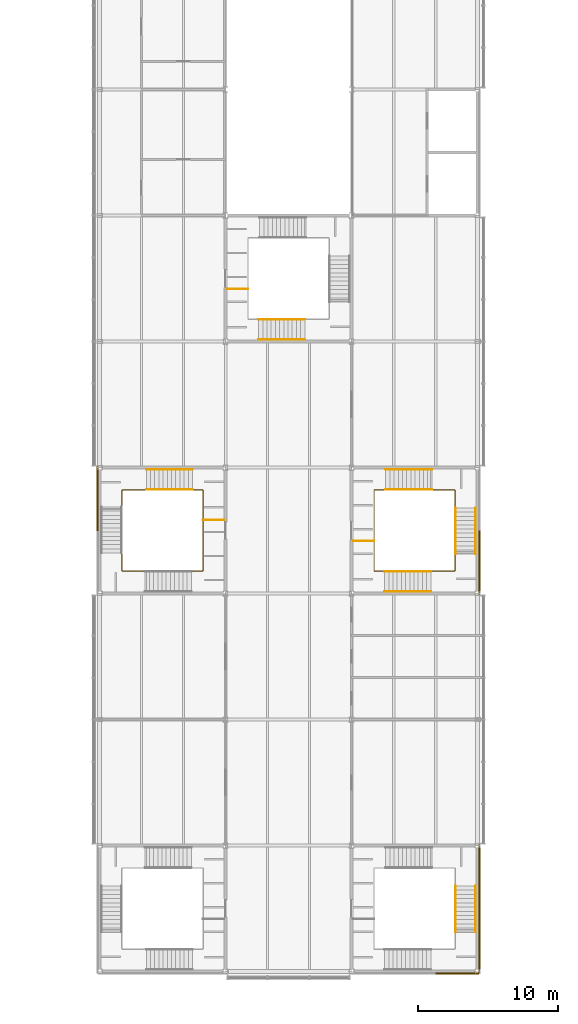
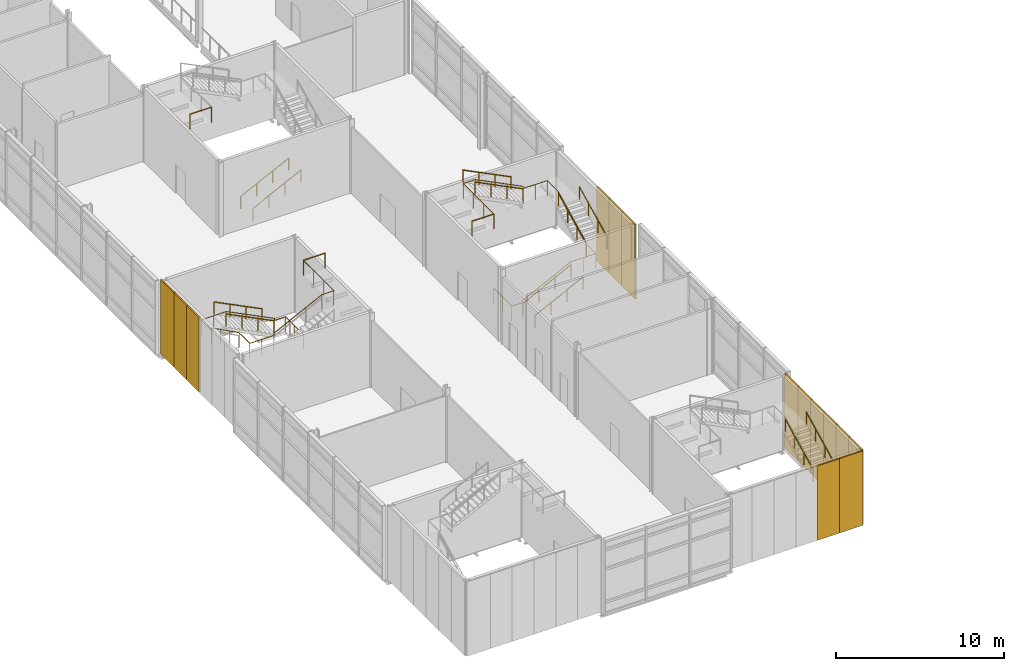
# One storey, part 44 of 52: 17 railings, 14 coverings.
"""IFC4 building model written with IfcOpenShell, lengths in metres."""

import ifcopenshell
import ifcopenshell.guid

model = None  # the IFC model being written
_history = None  # IfcOwnerHistory: only IFC2X3 demands one
_inside = {}  # id of a spatial element -> (the spatial element, [elements in it])
_under = {}  # id of a project, library or spatial element -> (it, [spatial elements below it])
_declared = {}  # id of a project -> (the project, [libraries it declares])
_typed = {}  # id of a type object -> (the type object, [elements of that type])
_made_of = {}  # id of a material, layer set ... -> (it, [elements and type objects made of it])


def new_model(schema):
    """Start an empty IFC model of exactly this schema.

    Asked for "IFC4X3", IfcOpenShell would pick the latest addendum, in which some entities
    have other attributes; the version numbers below select the first issue.
    IFC2X3 requires an IfcOwnerHistory on every rooted entity: one is made here for all.
    """
    global model, _history
    if schema == "IFC4X3":
        model = ifcopenshell.file(schema_version=(4, 3, 0, 0))
    else:
        model = ifcopenshell.file(schema=schema)
    _inside.clear()
    _under.clear()
    _declared.clear()
    _typed.clear()
    _made_of.clear()
    _history = None
    if model.schema == "IFC2X3":
        org = make("IfcOrganization", Name="unknown")
        user = make(
            "IfcPersonAndOrganization",
            ThePerson=make("IfcPerson", FamilyName="unknown"),
            TheOrganization=org,
        )
        app = make(
            "IfcApplication",
            ApplicationDeveloper=org,
            Version="unknown",
            ApplicationFullName="unknown",
            ApplicationIdentifier="unknown",
        )
        _history = make(
            "IfcOwnerHistory",
            OwningUser=user,
            OwningApplication=app,
            ChangeAction="ADDED",
            CreationDate=0,
        )
    return model


def make(cls, **values):
    """One entity of the class cls with the attributes given. An attribute that is None is left unset."""
    return model.create_entity(
        cls, **{name: value for name, value in values.items() if value is not None}
    )


def rooted(cls, **values):
    """An entity with a GlobalId (a new one), such as an element, a storey or a relation."""
    return make(cls, GlobalId=ifcopenshell.guid.new(), OwnerHistory=_history, **values)


def si_unit(unit_type, name, prefix=None):
    """IfcSIUnit, for example si_unit("LENGTHUNIT", "METRE", prefix="MILLI")."""
    return make("IfcSIUnit", UnitType=unit_type, Prefix=prefix, Name=name)


def assignment(units):
    """IfcUnitAssignment: the units of a project."""
    return None if units is None else make("IfcUnitAssignment", Units=units)


def point(xyz):
    """IfcCartesianPoint."""
    return None if xyz is None else make("IfcCartesianPoint", Coordinates=xyz)


def direction(xyz):
    """IfcDirection."""
    return None if xyz is None else make("IfcDirection", DirectionRatios=xyz)


def frame(location, z_axis=None, x_axis=None):
    """IfcAxis2Placement3D, a coordinate frame: its origin and axes. An axis left out is left unset."""
    return make(
        "IfcAxis2Placement3D",
        Location=point(location),
        Axis=direction(z_axis),
        RefDirection=direction(x_axis),
    )


def frame_2d(location, x_axis=None):
    """IfcAxis2Placement2D, a coordinate frame in the plane: its origin and x axis."""
    return make(
        "IfcAxis2Placement2D", Location=point(location), RefDirection=direction(x_axis)
    )


def origin():
    """The frame at (0, 0, 0) with its axes left unset."""
    return frame((0.0, 0.0, 0.0))


def origin_2d():
    """The frame at (0, 0) in the plane with its x axis left unset."""
    return frame_2d((0.0, 0.0))


def place(relative_to, where):
    """IfcLocalPlacement: puts the frame where relative to a parent placement (None: the world)."""
    return make(
        "IfcLocalPlacement", PlacementRelTo=relative_to, RelativePlacement=where
    )


def context(
    kind, dimensions, precision=None, world=None, true_north=None, identifier=None
):
    """IfcGeometricRepresentationContext, for example the 3D "Model" context."""
    return make(
        "IfcGeometricRepresentationContext",
        ContextIdentifier=identifier,
        ContextType=kind,
        CoordinateSpaceDimension=dimensions,
        Precision=precision,
        WorldCoordinateSystem=world,
        TrueNorth=true_north,
    )


def subcontext(parent, identifier, kind, view, scale=None):
    """IfcGeometricRepresentationSubContext, for example "Body" below "Model"."""
    return make(
        "IfcGeometricRepresentationSubContext",
        ContextIdentifier=identifier,
        ContextType=kind,
        ParentContext=parent,
        TargetScale=scale,
        TargetView=view,
    )


def project(units=None, contexts=None):
    """IfcProject with its units and contexts."""
    return rooted(
        "IfcProject",
        Name="project",
        RepresentationContexts=contexts,
        UnitsInContext=assignment(units),
    )


def spatial(cls, under=None, at=None, **own):
    """A site, building, storey or space (cls), placed at a placement, below another one or the project."""
    s = rooted(cls, ObjectPlacement=at, **own)
    if under is not None:
        _under.setdefault(under.id(), (under, []))[1].append(s)
    return s


def profile(cls, at=None, kind="AREA", **sizes):
    """A parametric profile (cls). Its sizes go by their IFC names, for example OverallWidth=200.0."""
    return make(cls, ProfileType=kind, Position=at, **sizes)


def rectangle(**sizes):
    """IfcRectangleProfileDef."""
    return profile("IfcRectangleProfileDef", **sizes)


def circle(**sizes):
    """IfcCircleProfileDef."""
    return profile("IfcCircleProfileDef", **sizes)


def extrude(swept, where, along, depth):
    """IfcExtrudedAreaSolid: the profile swept, set in the frame where, extruded along a direction by depth."""
    return make(
        "IfcExtrudedAreaSolid",
        SweptArea=swept,
        Position=where,
        ExtrudedDirection=direction(along),
        Depth=depth,
    )


def shape(context_of_items, identifier, shape_type, items):
    """IfcShapeRepresentation: the items that make up one representation, for example the "Body"."""
    return make(
        "IfcShapeRepresentation",
        ContextOfItems=context_of_items,
        RepresentationIdentifier=identifier,
        RepresentationType=shape_type,
        Items=items,
    )


def material(Name=None, Category=None):
    """IfcMaterial."""
    return make("IfcMaterial", Name=Name, Category=Category)


def layer(
    of_material, thickness, ventilated=None, Name=None, Category=None, Priority=None
):
    """IfcMaterialLayer: one layer of a wall or slab, of a material (None: an air gap)."""
    return make(
        "IfcMaterialLayer",
        Material=of_material,
        LayerThickness=thickness,
        IsVentilated=ventilated,
        Name=Name,
        Category=Category,
        Priority=Priority,
    )


def layer_set(layers, Name=None):
    """IfcMaterialLayerSet."""
    return make("IfcMaterialLayerSet", MaterialLayers=layers, LayerSetName=Name)


def made_of(thing, what):
    """Note that an element or type object is made of a material, layer set ...; save() writes the relation."""
    if what is not None:
        _made_of.setdefault(what.id(), (what, []))[1].append(thing)
    return thing


def type_object(cls, material=None, **own):
    """A type object (cls), such as IfcWallType, which elements share."""
    return made_of(rooted(cls, **own), material)


def element(
    cls,
    number,
    at=None,
    inside=None,
    cuts=None,
    type_object=None,
    material=None,
    context=None,
    identifier="Body",
    shape_type=None,
    held_by="IfcProductDefinitionShape",
    body=None,
    shapes=None,
    **own,
):
    """One element of the class cls, such as IfcWall. Its Tag is "e" and its number.

    at: its placement. inside: the storey or other place that contains it. cuts: it is an
    opening in that element (IfcRelVoidsElement). A single representation is given by context,
    identifier, shape_type and body (its items); several are given by shapes. held_by: the class
    of the entity that holds the representations. save() writes the other relations.
    """
    e = rooted(cls, Tag="e%d" % number, ObjectPlacement=at, **own)
    if body is not None:
        shapes = [shape(context, identifier, shape_type, body)]
    if shapes is not None:
        e.Representation = make(held_by, Representations=shapes)
    if inside is not None:
        _inside.setdefault(inside.id(), (inside, []))[1].append(e)
    if cuts is not None:
        rooted(
            "IfcRelVoidsElement", RelatingBuildingElement=cuts, RelatedOpeningElement=e
        )
    if type_object is not None:
        _typed.setdefault(type_object.id(), (type_object, []))[1].append(e)
    return made_of(e, material)


def aggregate(whole, parts):
    """IfcRelAggregates: a whole, such as a stair, and the parts it consists of."""
    return rooted("IfcRelAggregates", RelatingObject=whole, RelatedObjects=parts)


def save(model, path):
    """Write the relations noted so far, then the file.

    IfcRelAggregates (storeys below a building ...), IfcRelContainedInSpatialStructure (elements
    in a storey), IfcRelDefinesByType, IfcRelAssociatesMaterial and IfcRelDeclares: one each for
    every whole, place, type object, material and project.
    """
    for whole, parts in _under.values():
        aggregate(whole, parts)
    for where, things in _inside.values():
        rooted(
            "IfcRelContainedInSpatialStructure",
            RelatedElements=things,
            RelatingStructure=where,
        )
    for kind, things in _typed.values():
        rooted("IfcRelDefinesByType", RelatedObjects=things, RelatingType=kind)
    for what, things in _made_of.values():
        rooted("IfcRelAssociatesMaterial", RelatedObjects=things, RelatingMaterial=what)
    for by, libraries in _declared.values():
        rooted("IfcRelDeclares", RelatingContext=by, RelatedDefinitions=libraries)
    model.write(path)


model = new_model("IFC4")

# Units and contexts
model_context = context("Model", 3, precision=1e-05, world=origin(), true_north=direction((0.0, 1.0)))
body_context = subcontext(model_context, "Body", "Model", "MODEL_VIEW")
ifc_project = project(units=[si_unit("LENGTHUNIT", "METRE"), si_unit("AREAUNIT", "SQUARE_METRE"), si_unit("VOLUMEUNIT", "CUBIC_METRE"), si_unit("PLANEANGLEUNIT", "RADIAN"), si_unit("MASSUNIT", "GRAM", prefix="KILO")], contexts=[model_context])

# Site, building, storey
site_placement = place(None, origin())
site = spatial("IfcSite", under=ifc_project, at=site_placement, CompositionType="ELEMENT")
building_placement = place(site_placement, origin())
building = spatial("IfcBuilding", under=site, at=building_placement, Name="Azimuth Sports and Learning Centre", CompositionType="ELEMENT")
storey_placement = place(building_placement, frame((0.0, 0.0, 16.199951171875)))
storey = spatial("IfcBuildingStorey", under=building, at=storey_placement, Name="L03", CompositionType="ELEMENT", Elevation=16.199951171875)

# Coverings
ifc_material_1 = material(Name="Cladding panel")
ifc_layer = layer(ifc_material_1, 0.10009765625)
ifc_layer_set = layer_set([ifc_layer], Name="Cladding panel")
covering_type = type_object("IfcCoveringType", Name="Cladding panel 100", PredefinedType="CLADDING", material=ifc_layer_set)
covering_placement = place(storey_placement, frame((71.85009765625, 35.300048828125, 0.0), z_axis=(0.0, 0.0, 1.0), x_axis=(0.0, -1.0, 0.0)))
element("IfcCovering", 1, at=covering_placement, inside=storey, type_object=covering_type, Name="Cladding panel W-ST3 L03 1", PredefinedType="CLADDING", context=body_context, shape_type="SweptSolid", body=[
    extrude(rectangle(XDim=1.60009765625, YDim=0.10009765625, at=origin_2d()), origin(), (0.0, 0.0, 1.0), 5.39990234375),
])
for number, where, z_axis, x_axis, name in (
    (2, (71.85009765625, 33.75, 0.0), (0.0, 0.0, 1.0), (0.0, -1.0, 0.0), "Cladding panel W-ST3 L03 2"),
    (3, (71.85009765625, 32.25, 0.0), (0.0, 0.0, 1.0), (0.0, -1.0, 0.0), "Cladding panel W-ST3 L03 3"),
    (4, (96.75, -0.14990234375, 0.0), (0.0, 0.0, 1.0), (1.0, 0.0, 0.0), "Cladding panel S-ST2 L03 5"),
):
    element("IfcCovering", number, at=place(storey_placement, frame(where, z_axis=z_axis, x_axis=x_axis)), inside=storey, type_object=covering_type, Name=name, PredefinedType="CLADDING", context=body_context, shape_type="SweptSolid", body=[
        extrude(rectangle(XDim=1.5, YDim=0.10009765625, at=origin_2d()), origin(), (0.0, 0.0, 1.0), 5.39990234375),
    ])
for number, where, z_axis, x_axis, name in (
    (5, (98.300048828125, -0.14990234375, 0.0), (0.0, 0.0, 1.0), (1.0, 0.0, 0.0), "Cladding panel S-ST2 L03 6"),
    (6, (99.14990234375, 0.699951171875, 0.0), (0.0, 0.0, 1.0), (0.0, 1.0, 0.0), "Cladding panel E-ST2 L03 1"),
):
    element("IfcCovering", number, at=place(storey_placement, frame(where, z_axis=z_axis, x_axis=x_axis)), inside=storey, type_object=covering_type, Name=name, PredefinedType="CLADDING", context=body_context, shape_type="SweptSolid", body=[
        extrude(rectangle(XDim=1.60009765625, YDim=0.10009765625, at=origin_2d()), origin(), (0.0, 0.0, 1.0), 5.39990234375),
    ])
for number, where, z_axis, x_axis, name in (
    (7, (99.14990234375, 2.25, 0.0), (0.0, 0.0, 1.0), (0.0, 1.0, 0.0), "Cladding panel E-ST2 L03 2"),
    (8, (99.14990234375, 3.75, 0.0), (0.0, 0.0, 1.0), (0.0, 1.0, 0.0), "Cladding panel E-ST2 L03 3"),
    (9, (99.14990234375, 5.25, 0.0), (0.0, 0.0, 1.0), (0.0, 1.0, 0.0), "Cladding panel E-ST2 L03 4"),
    (10, (99.14990234375, 6.75, 0.0), (0.0, 0.0, 1.0), (0.0, 1.0, 0.0), "Cladding panel E-ST2 L03 5"),
):
    element("IfcCovering", number, at=place(storey_placement, frame(where, z_axis=z_axis, x_axis=x_axis)), inside=storey, type_object=covering_type, Name=name, PredefinedType="CLADDING", context=body_context, shape_type="SweptSolid", body=[
        extrude(rectangle(XDim=1.5, YDim=0.10009765625, at=origin_2d()), origin(), (0.0, 0.0, 1.0), 5.39990234375),
    ])
for number, where, z_axis, x_axis, name in (
    (11, (99.14990234375, 8.300048828125, 0.0), (0.0, 0.0, 1.0), (0.0, 1.0, 0.0), "Cladding panel E-ST2 L03 6"),
    (12, (99.14990234375, 27.699951171875, 0.0), (0.0, 0.0, 1.0), (0.0, 1.0, 0.0), "Cladding panel E-ST4 L03 1"),
):
    element("IfcCovering", number, at=place(storey_placement, frame(where, z_axis=z_axis, x_axis=x_axis)), inside=storey, type_object=covering_type, Name=name, PredefinedType="CLADDING", context=body_context, shape_type="SweptSolid", body=[
        extrude(rectangle(XDim=1.60009765625, YDim=0.10009765625, at=origin_2d()), origin(), (0.0, 0.0, 1.0), 5.39990234375),
    ])
for number, where, z_axis, x_axis, name in (
    (13, (99.14990234375, 29.25, 0.0), (0.0, 0.0, 1.0), (0.0, 1.0, 0.0), "Cladding panel E-ST4 L03 2"),
    (14, (99.14990234375, 30.75, 0.0), (0.0, 0.0, 1.0), (0.0, 1.0, 0.0), "Cladding panel E-ST4 L03 3"),
):
    element("IfcCovering", number, at=place(storey_placement, frame(where, z_axis=z_axis, x_axis=x_axis)), inside=storey, type_object=covering_type, Name=name, PredefinedType="CLADDING", context=body_context, shape_type="SweptSolid", body=[
        extrude(rectangle(XDim=1.5, YDim=0.10009765625, at=origin_2d()), origin(), (0.0, 0.0, 1.0), 5.39990234375),
    ])

# Railings
ifc_material_2 = material(Name="Stainless steel", Category="steel")
railing_type_1 = type_object("IfcRailingType", Name="Stair guard 1100", PredefinedType="GUARDRAIL", material=ifc_material_2)
railing_1_placement = place(storey_placement, frame((79.389892578125, 32.25, 0.0)))
element("IfcRailing", 15, at=railing_1_placement, inside=storey, type_object=railing_type_1, Name="Guard ST3 L03 well", PredefinedType="GUARDRAIL", context=body_context, shape_type="SweptSolid", body=[
    extrude(circle(Radius=0.02392578125, at=origin_2d()), frame((0.0, 0.0, 1.076171875), z_axis=(0.0, 1.0, 0.0), x_axis=(-1.0, 0.0, 0.0)), (0.0, 0.0, 1.0), 2.139892578125),
    extrude(circle(Radius=0.02392578125, at=origin_2d()), frame((0.0, 2.139892578125, 1.076171875), z_axis=(-1.0, 0.0, 0.0), x_axis=(0.0, -1.0, 0.0)), (0.0, 0.0, 1.0), 0.75),
    extrude(circle(Radius=0.02392578125, at=origin_2d()), frame((-0.75, 2.139892578125, 1.076171875), z_axis=(0.0, 0.0, 1.0), x_axis=(1.0, 0.0, 0.0)), (0.0, 0.0, 1.0), 0.150146484375),
    extrude(circle(Radius=0.02392578125, at=origin_2d()), frame((-0.75, 2.139892578125, 1.22607421875), z_axis=(-0.894427191, 0.0, 0.4472135955), x_axis=(0.0, -1.0, 0.0)), (0.0, 0.0, 1.0), 3.689208984375),
    extrude(circle(Radius=0.02392578125, at=origin_2d()), frame((-4.0498046875, 2.139892578125, 2.8759765625), z_axis=(-1.0, 0.0, 0.0), x_axis=(0.0, -1.0, 0.0)), (0.0, 0.0, 1.0), 1.72998046875),
    extrude(circle(Radius=0.02392578125, at=origin_2d()), frame((-5.77978515625, 2.139892578125, 2.8759765625), z_axis=(0.0, -1.0, 0.0), x_axis=(1.0, 0.0, 0.0)), (0.0, 0.0, 1.0), 1.199951171875),
    extrude(circle(Radius=0.02392578125, at=origin_2d()), frame((-5.77978515625, 0.93994140625, 2.8759765625), z_axis=(0.0, 0.0, 1.0), x_axis=(1.0, 0.0, 0.0)), (0.0, 0.0, 1.0), 0.14990234375),
    extrude(circle(Radius=0.02392578125, at=origin_2d()), frame((-5.77978515625, 0.93994140625, 3.02587890625), z_axis=(0.0, -0.894413956696, 0.447240063129), x_axis=(1.0, 0.0, 0.0)), (0.0, 0.0, 1.0), 3.689697265625),
    extrude(circle(Radius=0.02392578125, at=origin_2d()), frame((-5.77978515625, -2.360107421875, 4.67626953125), z_axis=(0.0, -1.0, 0.0), x_axis=(1.0, 0.0, 0.0)), (0.0, 0.0, 1.0), 1.27978515625),
    extrude(circle(Radius=0.02392578125, at=origin_2d()), frame((-5.77978515625, -3.639892578125, 4.67626953125), z_axis=(1.0, 0.0, 0.0), x_axis=(0.0, 1.0, 0.0)), (0.0, 0.0, 1.0), 1.64990234375),
    extrude(circle(Radius=0.02392578125, at=origin_2d()), frame((-4.1298828125, -3.639892578125, 4.67626953125), z_axis=(0.0, 0.0, 1.0), x_axis=(1.0, 0.0, 0.0)), (0.0, 0.0, 1.0), 0.14990234375),
    extrude(circle(Radius=0.02392578125, at=origin_2d()), frame((-4.1298828125, -3.639892578125, 4.826171875), z_axis=(0.894413956696, 0.0, 0.447240063129), x_axis=(0.0, 1.0, 0.0)), (0.0, 0.0, 1.0), 3.689697265625),
    extrude(circle(Radius=0.02392578125, at=origin_2d()), frame((-0.829833984375, -3.639892578125, 6.47607421875), z_axis=(1.0, 0.0, 0.0), x_axis=(0.0, 1.0, 0.0)), (0.0, 0.0, 1.0), 0.829833984375),
    extrude(circle(Radius=0.02392578125, at=origin_2d()), frame((0.0, -3.639892578125, 6.47607421875), z_axis=(0.0, 1.0, 0.0), x_axis=(-1.0, 0.0, 0.0)), (0.0, 0.0, 1.0), 3.639892578125),
    extrude(circle(Radius=0.01611328125, at=origin_2d()), origin(), (0.0, 0.0, 1.0), 1.052001953125),
    extrude(circle(Radius=0.01611328125, at=origin_2d()), frame((0.0, 1.06982421875, 0.0)), (0.0, 0.0, 1.0), 1.052001953125),
    extrude(circle(Radius=0.01611328125, at=origin_2d()), frame((0.0, 2.139892578125, 0.0)), (0.0, 0.0, 1.0), 1.052001953125),
    extrude(circle(Radius=0.01611328125, at=origin_2d()), frame((-0.75, 2.139892578125, 0.0)), (0.0, 0.0, 1.0), 1.052001953125),
    extrude(circle(Radius=0.01611328125, at=origin_2d()), frame((-0.75, 2.139892578125, 0.150146484375)), (0.0, 0.0, 1.0), 1.052001953125),
    extrude(circle(Radius=0.01611328125, at=origin_2d()), frame((-1.849853515625, 2.139892578125, 0.7001953125)), (0.0, 0.0, 1.0), 1.052001953125),
    extrude(circle(Radius=0.01611328125, at=origin_2d()), frame((-2.949951171875, 2.139892578125, 1.25)), (0.0, 0.0, 1.0), 1.052001953125),
    extrude(circle(Radius=0.01611328125, at=origin_2d()), frame((-4.0498046875, 2.139892578125, 1.800048828125)), (0.0, 0.0, 1.0), 1.052001953125),
    extrude(circle(Radius=0.01611328125, at=origin_2d()), frame((-4.914794921875, 2.139892578125, 1.800048828125)), (0.0, 0.0, 1.0), 1.052001953125),
    extrude(circle(Radius=0.01611328125, at=origin_2d()), frame((-5.77978515625, 2.139892578125, 1.800048828125)), (0.0, 0.0, 1.0), 1.052001953125),
    extrude(circle(Radius=0.01611328125, at=origin_2d()), frame((-5.77978515625, 0.93994140625, 1.800048828125)), (0.0, 0.0, 1.0), 1.052001953125),
    extrude(circle(Radius=0.01611328125, at=origin_2d()), frame((-5.77978515625, 0.93994140625, 1.949951171875)), (0.0, 0.0, 1.0), 1.052001953125),
    extrude(circle(Radius=0.01611328125, at=origin_2d()), frame((-5.77978515625, -0.16015625, 2.5)), (0.0, 0.0, 1.0), 1.052001953125),
    extrude(circle(Radius=0.01611328125, at=origin_2d()), frame((-5.77978515625, -1.260009765625, 3.050048828125)), (0.0, 0.0, 1.0), 1.052001953125),
    extrude(circle(Radius=0.01611328125, at=origin_2d()), frame((-5.77978515625, -2.360107421875, 3.60009765625)), (0.0, 0.0, 1.0), 1.052001953125),
    extrude(circle(Radius=0.01611328125, at=origin_2d()), frame((-5.77978515625, -3.639892578125, 3.60009765625)), (0.0, 0.0, 1.0), 1.052001953125),
    extrude(circle(Radius=0.01611328125, at=origin_2d()), frame((-4.954833984375, -3.639892578125, 3.60009765625)), (0.0, 0.0, 1.0), 1.052001953125),
    extrude(circle(Radius=0.01611328125, at=origin_2d()), frame((-4.1298828125, -3.639892578125, 3.60009765625)), (0.0, 0.0, 1.0), 1.052001953125),
    extrude(circle(Radius=0.01611328125, at=origin_2d()), frame((-4.1298828125, -3.639892578125, 3.75)), (0.0, 0.0, 1.0), 1.052001953125),
    extrude(circle(Radius=0.01611328125, at=origin_2d()), frame((-3.02978515625, -3.639892578125, 4.300048828125)), (0.0, 0.0, 1.0), 1.052001953125),
    extrude(circle(Radius=0.01611328125, at=origin_2d()), frame((-1.929931640625, -3.639892578125, 4.85009765625)), (0.0, 0.0, 1.0), 1.052001953125),
    extrude(circle(Radius=0.01611328125, at=origin_2d()), frame((-0.829833984375, -3.639892578125, 5.400146484375)), (0.0, 0.0, 1.0), 1.052001953125),
    extrude(circle(Radius=0.01611328125, at=origin_2d()), frame((0.0, -3.639892578125, 5.400146484375)), (0.0, 0.0, 1.0), 1.052001953125),
    extrude(circle(Radius=0.01611328125, at=origin_2d()), frame((0.0, -2.426513671875, 5.400146484375)), (0.0, 0.0, 1.0), 1.052001953125),
    extrude(circle(Radius=0.01611328125, at=origin_2d()), frame((0.0, -1.21337890625, 5.400146484375)), (0.0, 0.0, 1.0), 1.052001953125),
    extrude(circle(Radius=0.01611328125, at=origin_2d()), frame((0.0, 0.0, 5.400146484375)), (0.0, 0.0, 1.0), 1.052001953125),
])
railing_2_placement = place(storey_placement, frame((79.389892578125, 32.25, 5.400146484375)))
element("IfcRailing", 16, at=railing_2_placement, inside=storey, type_object=railing_type_1, Name="Guard ST3 L03 top landing end", PredefinedType="GUARDRAIL", context=body_context, shape_type="SweptSolid", body=[
    extrude(circle(Radius=0.02392578125, at=origin_2d()), frame((0.0, 0.0, 1.076171875), z_axis=(1.0, 0.0, 0.0), x_axis=(0.0, 1.0, 0.0)), (0.0, 0.0, 1.0), 1.5),
    extrude(circle(Radius=0.01611328125, at=origin_2d()), origin(), (0.0, 0.0, 1.0), 1.052001953125),
    extrude(circle(Radius=0.01611328125, at=origin_2d()), frame((1.5, 0.0, 0.0)), (0.0, 0.0, 1.0), 1.052001953125),
])
railing_3_placement = place(storey_placement, frame((91.610107421875, 30.75, 0.0)))
element("IfcRailing", 17, at=railing_3_placement, inside=storey, type_object=railing_type_1, Name="Guard ST4 L03 well", PredefinedType="GUARDRAIL", context=body_context, shape_type="SweptSolid", body=[
    extrude(circle(Radius=0.02392578125, at=origin_2d()), frame((0.0, 0.0, 1.076171875), z_axis=(0.0, -1.0, 0.0), x_axis=(1.0, 0.0, 0.0)), (0.0, 0.0, 1.0), 2.139892578125),
    extrude(circle(Radius=0.02392578125, at=origin_2d()), frame((0.0, -2.139892578125, 1.076171875), z_axis=(1.0, 0.0, 0.0), x_axis=(0.0, 1.0, 0.0)), (0.0, 0.0, 1.0), 0.75),
    extrude(circle(Radius=0.02392578125, at=origin_2d()), frame((0.75, -2.139892578125, 1.076171875), z_axis=(0.0, 0.0, 1.0), x_axis=(1.0, 0.0, 0.0)), (0.0, 0.0, 1.0), 0.150146484375),
    extrude(circle(Radius=0.02392578125, at=origin_2d()), frame((0.75, -2.139892578125, 1.22607421875), z_axis=(0.894427191, 0.0, 0.4472135955), x_axis=(0.0, 1.0, 0.0)), (0.0, 0.0, 1.0), 3.689208984375),
    extrude(circle(Radius=0.02392578125, at=origin_2d()), frame((4.0498046875, -2.139892578125, 2.8759765625), z_axis=(1.0, 0.0, 0.0), x_axis=(0.0, 1.0, 0.0)), (0.0, 0.0, 1.0), 1.72998046875),
    extrude(circle(Radius=0.02392578125, at=origin_2d()), frame((5.77978515625, -2.139892578125, 2.8759765625), z_axis=(0.0, 1.0, 0.0), x_axis=(-1.0, 0.0, 0.0)), (0.0, 0.0, 1.0), 1.199951171875),
    extrude(circle(Radius=0.02392578125, at=origin_2d()), frame((5.77978515625, -0.93994140625, 2.8759765625), z_axis=(0.0, 0.0, 1.0), x_axis=(1.0, 0.0, 0.0)), (0.0, 0.0, 1.0), 0.14990234375),
    extrude(circle(Radius=0.02392578125, at=origin_2d()), frame((5.77978515625, -0.93994140625, 3.02587890625), z_axis=(0.0, 0.894413956696, 0.447240063129), x_axis=(-1.0, 0.0, 0.0)), (0.0, 0.0, 1.0), 3.689697265625),
    extrude(circle(Radius=0.02392578125, at=origin_2d()), frame((5.77978515625, 2.360107421875, 4.67626953125), z_axis=(0.0, 1.0, 0.0), x_axis=(-1.0, 0.0, 0.0)), (0.0, 0.0, 1.0), 1.27978515625),
    extrude(circle(Radius=0.02392578125, at=origin_2d()), frame((5.77978515625, 3.639892578125, 4.67626953125), z_axis=(-1.0, 0.0, 0.0), x_axis=(0.0, -1.0, 0.0)), (0.0, 0.0, 1.0), 1.64990234375),
    extrude(circle(Radius=0.02392578125, at=origin_2d()), frame((4.1298828125, 3.639892578125, 4.67626953125), z_axis=(0.0, 0.0, 1.0), x_axis=(1.0, 0.0, 0.0)), (0.0, 0.0, 1.0), 0.14990234375),
    extrude(circle(Radius=0.02392578125, at=origin_2d()), frame((4.1298828125, 3.639892578125, 4.826171875), z_axis=(-0.894413956696, 0.0, 0.447240063129), x_axis=(0.0, -1.0, 0.0)), (0.0, 0.0, 1.0), 3.689697265625),
    extrude(circle(Radius=0.02392578125, at=origin_2d()), frame((0.829833984375, 3.639892578125, 6.47607421875), z_axis=(-1.0, 0.0, 0.0), x_axis=(0.0, -1.0, 0.0)), (0.0, 0.0, 1.0), 0.829833984375),
    extrude(circle(Radius=0.02392578125, at=origin_2d()), frame((0.0, 3.639892578125, 6.47607421875), z_axis=(0.0, -1.0, 0.0), x_axis=(1.0, 0.0, 0.0)), (0.0, 0.0, 1.0), 3.639892578125),
    extrude(circle(Radius=0.01611328125, at=origin_2d()), origin(), (0.0, 0.0, 1.0), 1.052001953125),
    extrude(circle(Radius=0.01611328125, at=origin_2d()), frame((0.0, -1.06982421875, 0.0)), (0.0, 0.0, 1.0), 1.052001953125),
    extrude(circle(Radius=0.01611328125, at=origin_2d()), frame((0.0, -2.139892578125, 0.0)), (0.0, 0.0, 1.0), 1.052001953125),
    extrude(circle(Radius=0.01611328125, at=origin_2d()), frame((0.75, -2.139892578125, 0.0)), (0.0, 0.0, 1.0), 1.052001953125),
    extrude(circle(Radius=0.01611328125, at=origin_2d()), frame((0.75, -2.139892578125, 0.150146484375)), (0.0, 0.0, 1.0), 1.052001953125),
    extrude(circle(Radius=0.01611328125, at=origin_2d()), frame((1.849853515625, -2.139892578125, 0.7001953125)), (0.0, 0.0, 1.0), 1.052001953125),
    extrude(circle(Radius=0.01611328125, at=origin_2d()), frame((2.949951171875, -2.139892578125, 1.25)), (0.0, 0.0, 1.0), 1.052001953125),
    extrude(circle(Radius=0.01611328125, at=origin_2d()), frame((4.0498046875, -2.139892578125, 1.800048828125)), (0.0, 0.0, 1.0), 1.052001953125),
    extrude(circle(Radius=0.01611328125, at=origin_2d()), frame((4.914794921875, -2.139892578125, 1.800048828125)), (0.0, 0.0, 1.0), 1.052001953125),
    extrude(circle(Radius=0.01611328125, at=origin_2d()), frame((5.77978515625, -2.139892578125, 1.800048828125)), (0.0, 0.0, 1.0), 1.052001953125),
    extrude(circle(Radius=0.01611328125, at=origin_2d()), frame((5.77978515625, -0.93994140625, 1.800048828125)), (0.0, 0.0, 1.0), 1.052001953125),
    extrude(circle(Radius=0.01611328125, at=origin_2d()), frame((5.77978515625, -0.93994140625, 1.949951171875)), (0.0, 0.0, 1.0), 1.052001953125),
    extrude(circle(Radius=0.01611328125, at=origin_2d()), frame((5.77978515625, 0.16015625, 2.5)), (0.0, 0.0, 1.0), 1.052001953125),
    extrude(circle(Radius=0.01611328125, at=origin_2d()), frame((5.77978515625, 1.260009765625, 3.050048828125)), (0.0, 0.0, 1.0), 1.052001953125),
    extrude(circle(Radius=0.01611328125, at=origin_2d()), frame((5.77978515625, 2.360107421875, 3.60009765625)), (0.0, 0.0, 1.0), 1.052001953125),
    extrude(circle(Radius=0.01611328125, at=origin_2d()), frame((5.77978515625, 3.639892578125, 3.60009765625)), (0.0, 0.0, 1.0), 1.052001953125),
    extrude(circle(Radius=0.01611328125, at=origin_2d()), frame((4.954833984375, 3.639892578125, 3.60009765625)), (0.0, 0.0, 1.0), 1.052001953125),
    extrude(circle(Radius=0.01611328125, at=origin_2d()), frame((4.1298828125, 3.639892578125, 3.60009765625)), (0.0, 0.0, 1.0), 1.052001953125),
    extrude(circle(Radius=0.01611328125, at=origin_2d()), frame((4.1298828125, 3.639892578125, 3.75)), (0.0, 0.0, 1.0), 1.052001953125),
    extrude(circle(Radius=0.01611328125, at=origin_2d()), frame((3.02978515625, 3.639892578125, 4.300048828125)), (0.0, 0.0, 1.0), 1.052001953125),
    extrude(circle(Radius=0.01611328125, at=origin_2d()), frame((1.929931640625, 3.639892578125, 4.85009765625)), (0.0, 0.0, 1.0), 1.052001953125),
    extrude(circle(Radius=0.01611328125, at=origin_2d()), frame((0.829833984375, 3.639892578125, 5.400146484375)), (0.0, 0.0, 1.0), 1.052001953125),
    extrude(circle(Radius=0.01611328125, at=origin_2d()), frame((0.0, 3.639892578125, 5.400146484375)), (0.0, 0.0, 1.0), 1.052001953125),
    extrude(circle(Radius=0.01611328125, at=origin_2d()), frame((0.0, 2.426513671875, 5.400146484375)), (0.0, 0.0, 1.0), 1.052001953125),
    extrude(circle(Radius=0.01611328125, at=origin_2d()), frame((0.0, 1.21337890625, 5.400146484375)), (0.0, 0.0, 1.0), 1.052001953125),
    extrude(circle(Radius=0.01611328125, at=origin_2d()), frame((0.0, 0.0, 5.400146484375)), (0.0, 0.0, 1.0), 1.052001953125),
])
for number, where, name in (
    (18, (91.610107421875, 30.75, 5.400146484375), "Guard ST4 L03 top landing end"),
    (19, (82.610107421875, 48.75, 5.400146484375), "Guard STC L03 top landing end"),
):
    element("IfcRailing", number, at=place(storey_placement, frame(where)), inside=storey, type_object=railing_type_1, Name=name, PredefinedType="GUARDRAIL", context=body_context, shape_type="SweptSolid", body=[
        extrude(circle(Radius=0.02392578125, at=origin_2d()), frame((0.0, 0.0, 1.076171875), z_axis=(-1.0, 0.0, 0.0), x_axis=(0.0, -1.0, 0.0)), (0.0, 0.0, 1.0), 1.5),
        extrude(circle(Radius=0.01611328125, at=origin_2d()), origin(), (0.0, 0.0, 1.0), 1.052001953125),
        extrude(circle(Radius=0.01611328125, at=origin_2d()), frame((-1.5, 0.0, 0.0)), (0.0, 0.0, 1.0), 1.052001953125),
    ])
ifc_material_3 = material(Name="Stainless steel", Category="steel")
railing_type_2 = type_object("IfcRailingType", Name="Stair handrail 42", PredefinedType="HANDRAIL", material=ifc_material_3)
for number, where, name in (
    (20, (97.419921875, 2.81005859375, 1.949951171875), "Handrail ST2 L03 flight 2 inner"),
    (21, (98.860107421875, 2.81005859375, 1.949951171875), "Handrail ST2 L03 flight 2 outer"),
):
    element("IfcRailing", number, at=place(storey_placement, frame(where)), inside=storey, type_object=railing_type_2, Name=name, PredefinedType="HANDRAIL", context=body_context, shape_type="SweptSolid", body=[
        extrude(circle(Radius=0.02099609375, at=origin_2d()), frame((0.0, 0.0, 0.87890625), z_axis=(0.0, 0.894413956696, 0.447240063129), x_axis=(-1.0, 0.0, 0.0)), (0.0, 0.0, 1.0), 3.689697265625),
        extrude(circle(Radius=0.01611328125, at=origin_2d()), origin(), (0.0, 0.0, 1.0), 0.85791015625),
        extrude(circle(Radius=0.01611328125, at=origin_2d()), frame((0.0, 1.10009765625, 0.550048828125)), (0.0, 0.0, 1.0), 0.85791015625),
        extrude(circle(Radius=0.01611328125, at=origin_2d()), frame((0.0, 2.199951171875, 1.10009765625)), (0.0, 0.0, 1.0), 0.85791015625),
        extrude(circle(Radius=0.01611328125, at=origin_2d()), frame((0.0, 3.300048828125, 1.650146484375)), (0.0, 0.0, 1.0), 0.85791015625),
    ])
for number, where, name in (
    (22, (78.639892578125, 34.419921875, 0.150146484375), "Handrail ST3 L03 flight 1 inner"),
    (23, (78.639892578125, 35.860107421875, 0.150146484375), "Handrail ST3 L03 flight 1 outer"),
):
    element("IfcRailing", number, at=place(storey_placement, frame(where)), inside=storey, type_object=railing_type_2, Name=name, PredefinedType="HANDRAIL", context=body_context, shape_type="SweptSolid", body=[
        extrude(circle(Radius=0.02099609375, at=origin_2d()), frame((0.0, 0.0, 0.87890625), z_axis=(-0.894427191, 0.0, 0.4472135955), x_axis=(0.0, -1.0, 0.0)), (0.0, 0.0, 1.0), 3.689208984375),
        extrude(circle(Radius=0.01611328125, at=origin_2d()), origin(), (0.0, 0.0, 1.0), 0.85791015625),
        extrude(circle(Radius=0.01611328125, at=origin_2d()), frame((-1.099853515625, 0.0, 0.550048828125)), (0.0, 0.0, 1.0), 0.85791015625),
        extrude(circle(Radius=0.01611328125, at=origin_2d()), frame((-2.199951171875, 0.0, 1.099853515625)), (0.0, 0.0, 1.0), 0.85791015625),
        extrude(circle(Radius=0.01611328125, at=origin_2d()), frame((-3.2998046875, 0.0, 1.64990234375)), (0.0, 0.0, 1.0), 0.85791015625),
    ])
for number, where, name in (
    (24, (92.360107421875, 28.580078125, 0.150146484375), "Handrail ST4 L03 flight 1 inner"),
    (25, (92.360107421875, 27.139892578125, 0.150146484375), "Handrail ST4 L03 flight 1 outer"),
):
    element("IfcRailing", number, at=place(storey_placement, frame(where)), inside=storey, type_object=railing_type_2, Name=name, PredefinedType="HANDRAIL", context=body_context, shape_type="SweptSolid", body=[
        extrude(circle(Radius=0.02099609375, at=origin_2d()), frame((0.0, 0.0, 0.87890625), z_axis=(0.894427191, 0.0, 0.4472135955), x_axis=(0.0, 1.0, 0.0)), (0.0, 0.0, 1.0), 3.689208984375),
        extrude(circle(Radius=0.01611328125, at=origin_2d()), origin(), (0.0, 0.0, 1.0), 0.85791015625),
        extrude(circle(Radius=0.01611328125, at=origin_2d()), frame((1.099853515625, 0.0, 0.550048828125)), (0.0, 0.0, 1.0), 0.85791015625),
        extrude(circle(Radius=0.01611328125, at=origin_2d()), frame((2.199951171875, 0.0, 1.099853515625)), (0.0, 0.0, 1.0), 0.85791015625),
        extrude(circle(Radius=0.01611328125, at=origin_2d()), frame((3.2998046875, 0.0, 1.64990234375)), (0.0, 0.0, 1.0), 0.85791015625),
    ])
for number, where, name in (
    (26, (97.419921875, 29.81005859375, 1.949951171875), "Handrail ST4 L03 flight 2 inner"),
    (27, (98.860107421875, 29.81005859375, 1.949951171875), "Handrail ST4 L03 flight 2 outer"),
):
    element("IfcRailing", number, at=place(storey_placement, frame(where)), inside=storey, type_object=railing_type_2, Name=name, PredefinedType="HANDRAIL", context=body_context, shape_type="SweptSolid", body=[
        extrude(circle(Radius=0.02099609375, at=origin_2d()), frame((0.0, 0.0, 0.87890625), z_axis=(0.0, 0.894413956696, 0.447240063129), x_axis=(-1.0, 0.0, 0.0)), (0.0, 0.0, 1.0), 3.689697265625),
        extrude(circle(Radius=0.01611328125, at=origin_2d()), origin(), (0.0, 0.0, 1.0), 0.85791015625),
        extrude(circle(Radius=0.01611328125, at=origin_2d()), frame((0.0, 1.10009765625, 0.550048828125)), (0.0, 0.0, 1.0), 0.85791015625),
        extrude(circle(Radius=0.01611328125, at=origin_2d()), frame((0.0, 2.199951171875, 1.10009765625)), (0.0, 0.0, 1.0), 0.85791015625),
        extrude(circle(Radius=0.01611328125, at=origin_2d()), frame((0.0, 3.300048828125, 1.650146484375)), (0.0, 0.0, 1.0), 0.85791015625),
    ])
for number, where, name in (
    (28, (95.739990234375, 34.419921875, 3.75), "Handrail ST4 L03 flight 3 inner"),
    (29, (95.739990234375, 35.860107421875, 3.75), "Handrail ST4 L03 flight 3 outer"),
):
    element("IfcRailing", number, at=place(storey_placement, frame(where)), inside=storey, type_object=railing_type_2, Name=name, PredefinedType="HANDRAIL", context=body_context, shape_type="SweptSolid", body=[
        extrude(circle(Radius=0.02099609375, at=origin_2d()), frame((0.0, 0.0, 0.87890625), z_axis=(-0.894413956696, 0.0, 0.447240063129), x_axis=(0.0, -1.0, 0.0)), (0.0, 0.0, 1.0), 3.689697265625),
        extrude(circle(Radius=0.01611328125, at=origin_2d()), origin(), (0.0, 0.0, 1.0), 0.85791015625),
        extrude(circle(Radius=0.01611328125, at=origin_2d()), frame((-1.10009765625, 0.0, 0.550048828125)), (0.0, 0.0, 1.0), 0.85791015625),
        extrude(circle(Radius=0.01611328125, at=origin_2d()), frame((-2.199951171875, 0.0, 1.10009765625)), (0.0, 0.0, 1.0), 0.85791015625),
        extrude(circle(Radius=0.01611328125, at=origin_2d()), frame((-3.300048828125, 0.0, 1.650146484375)), (0.0, 0.0, 1.0), 0.85791015625),
    ])
for number, where, name in (
    (30, (83.360107421875, 46.580078125, 0.150146484375), "Handrail STC L03 flight 1 inner"),
    (31, (83.360107421875, 45.139892578125, 0.150146484375), "Handrail STC L03 flight 1 outer"),
):
    element("IfcRailing", number, at=place(storey_placement, frame(where)), inside=storey, type_object=railing_type_2, Name=name, PredefinedType="HANDRAIL", context=body_context, shape_type="SweptSolid", body=[
        extrude(circle(Radius=0.02099609375, at=origin_2d()), frame((0.0, 0.0, 0.87890625), z_axis=(0.894427191, 0.0, 0.4472135955), x_axis=(0.0, 1.0, 0.0)), (0.0, 0.0, 1.0), 3.689208984375),
        extrude(circle(Radius=0.01611328125, at=origin_2d()), origin(), (0.0, 0.0, 1.0), 0.85791015625),
        extrude(circle(Radius=0.01611328125, at=origin_2d()), frame((1.099853515625, 0.0, 0.550048828125)), (0.0, 0.0, 1.0), 0.85791015625),
        extrude(circle(Radius=0.01611328125, at=origin_2d()), frame((2.199951171875, 0.0, 1.099853515625)), (0.0, 0.0, 1.0), 0.85791015625),
        extrude(circle(Radius=0.01611328125, at=origin_2d()), frame((3.2998046875, 0.0, 1.64990234375)), (0.0, 0.0, 1.0), 0.85791015625),
    ])

save(model, "model.ifc")
